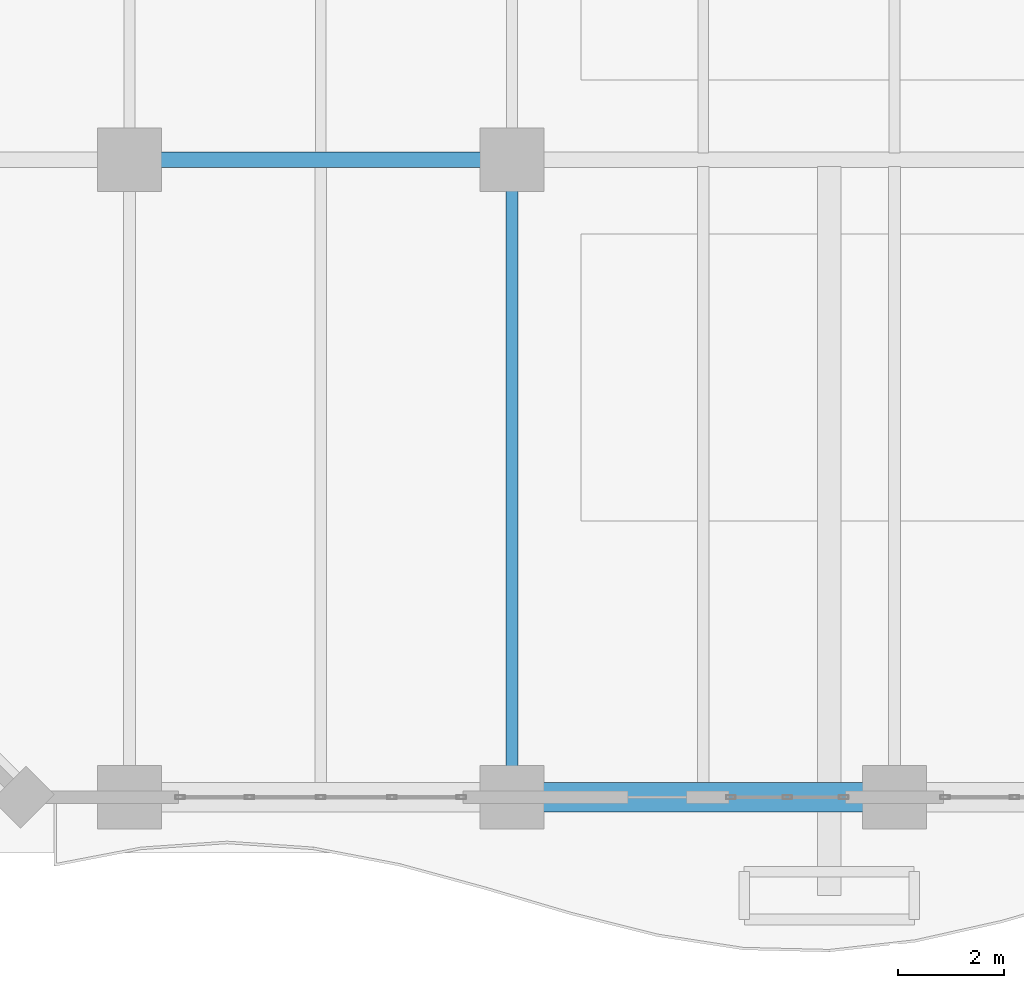
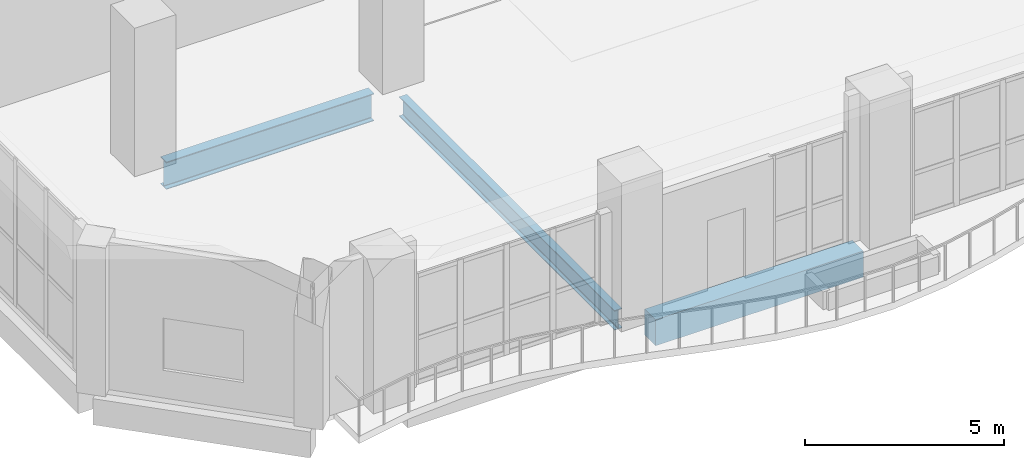
# One storey, part 4 of 37: 3 beams.
"""IFC4 building model written with IfcOpenShell, lengths in metres."""

from ifc_helpers import new_model, si_unit, direction, frame, origin, origin_2d, place, context, subcontext, project, spatial, rectangle, i_section, extrude, material, material_profile, profile_set, type_object, element, save


model = new_model("IFC4")

# Units and contexts
model_context = context("Model", 3, precision=1e-05, world=origin(), true_north=direction((0.0, 1.0)))
body_context = subcontext(model_context, "Body", "Model", "MODEL_VIEW")
ifc_project = project(units=[si_unit("LENGTHUNIT", "METRE"), si_unit("AREAUNIT", "SQUARE_METRE"), si_unit("VOLUMEUNIT", "CUBIC_METRE"), si_unit("PLANEANGLEUNIT", "RADIAN"), si_unit("MASSUNIT", "GRAM", prefix="KILO")], contexts=[model_context])

# Site, building, storey
site_placement = place(None, origin())
site = spatial("IfcSite", under=ifc_project, at=site_placement, CompositionType="ELEMENT")
building_placement = place(site_placement, origin())
building = spatial("IfcBuilding", under=site, at=building_placement, Name="Kaelvorn Grand Hotel", CompositionType="ELEMENT")
storey_placement = place(building_placement, frame((0.0, 0.0, 224.35009765625)))
storey = spatial("IfcBuildingStorey", under=building, at=storey_placement, Name="L55", CompositionType="ELEMENT", Elevation=224.35009765625)

# Beams
ifc_material_1 = material(Name="Steel S355", Category="steel")
ifc_material_profile_1 = material_profile(ifc_material_1, i_section(OverallWidth=0.29248046875, OverallDepth=0.8408203125, WebThickness=0.0146484375, FlangeThickness=0.021728515625, FilletRadius=0.017822265625, at=origin_2d()), Name="UB 838x292x194")
ifc_profile_set_1 = profile_set([ifc_material_profile_1], Name="Steel S355")
beam_type_1 = type_object("IfcBeamType", Name="BM-G-UB838-S355", PredefinedType="BEAM", material=ifc_profile_set_1)
beam_1_placement = place(storey_placement, frame((9.5849609375, 15.0, -0.660400390625), z_axis=(1.0, 0.0, 0.0), x_axis=(0.0, 1.0, 0.0)))
element("IfcBeam", 1, at=beam_1_placement, inside=storey, type_object=beam_type_1, Name="L55 Primary Spine Steel Girder G-15 02", PredefinedType="BEAM", context=body_context, shape_type="SweptSolid", body=[
    extrude(i_section(OverallWidth=0.29248046875, OverallDepth=0.8408203125, WebThickness=0.0146484375, FlangeThickness=0.021728515625, FilletRadius=0.017822265625, at=origin_2d()), origin(), (0.0, 0.0, 1.0), 6.030029296875),
])
ifc_material_profile_2 = material_profile(ifc_material_1, i_section(OverallWidth=0.219970703125, OverallDepth=0.60009765625, WebThickness=0.011962890625, FlangeThickness=0.01904296875, FilletRadius=0.02392578125, at=origin_2d()), Name="IPE 600")
ifc_profile_set_2 = profile_set([ifc_material_profile_2], Name="Steel S355")
beam_type_2 = type_object("IfcBeamType", Name="BM-J-IPE600-S355", PredefinedType="JOIST", material=ifc_profile_set_2)
beam_2_placement = place(storey_placement, frame((16.199951171875, 3.5849609375, -0.5400390625), z_axis=(0.0, 1.0, 0.0), x_axis=(-1.0, 0.0, 0.0)))
element("IfcBeam", 2, at=beam_2_placement, inside=storey, type_object=beam_type_2, Name="L55 Composite Floor Joist JS-05", PredefinedType="JOIST", context=body_context, shape_type="SweptSolid", body=[
    extrude(i_section(OverallWidth=0.219970703125, OverallDepth=0.60009765625, WebThickness=0.011962890625, FlangeThickness=0.01904296875, FilletRadius=0.02392578125, at=origin_2d()), origin(), (0.0, 0.0, 1.0), 10.830078125),
])
ifc_material_2 = material(Name="Concrete C50/60", Category="concrete")
ifc_material_profile_3 = material_profile(ifc_material_2, rectangle(XDim=0.550048828125, YDim=0.800048828125, at=origin_2d()), Name="RC SPANDREL 550x800")
ifc_profile_set_3 = profile_set([ifc_material_profile_3], Name="Concrete C50/60")
beam_type_3 = type_object("IfcBeamType", Name="BM-SP-550x800-C50", PredefinedType="SPANDREL", material=ifc_profile_set_3)
beam_3_placement = place(storey_placement, frame((16.784912109375, 3.0, -0.64013671875), z_axis=(1.0, 0.0, 0.0), x_axis=(0.0, 1.0, 0.0)))
element("IfcBeam", 3, at=beam_3_placement, inside=storey, type_object=beam_type_3, Name="L55 South Perimeter Spandrel 03", PredefinedType="SPANDREL", context=body_context, shape_type="SweptSolid", body=[
    extrude(rectangle(XDim=0.550048828125, YDim=0.800048828125, at=origin_2d()), origin(), (0.0, 0.0, 1.0), 6.030029296875),
])

save(model, "model.ifc")
